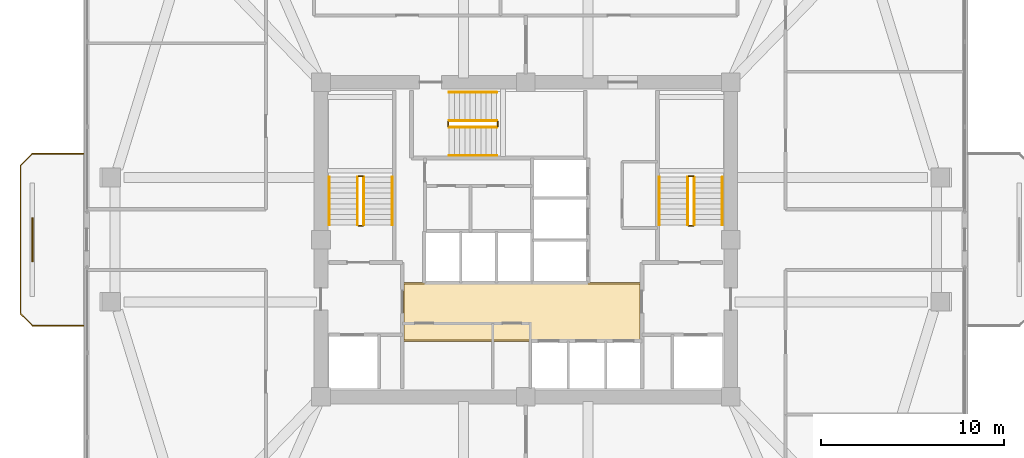
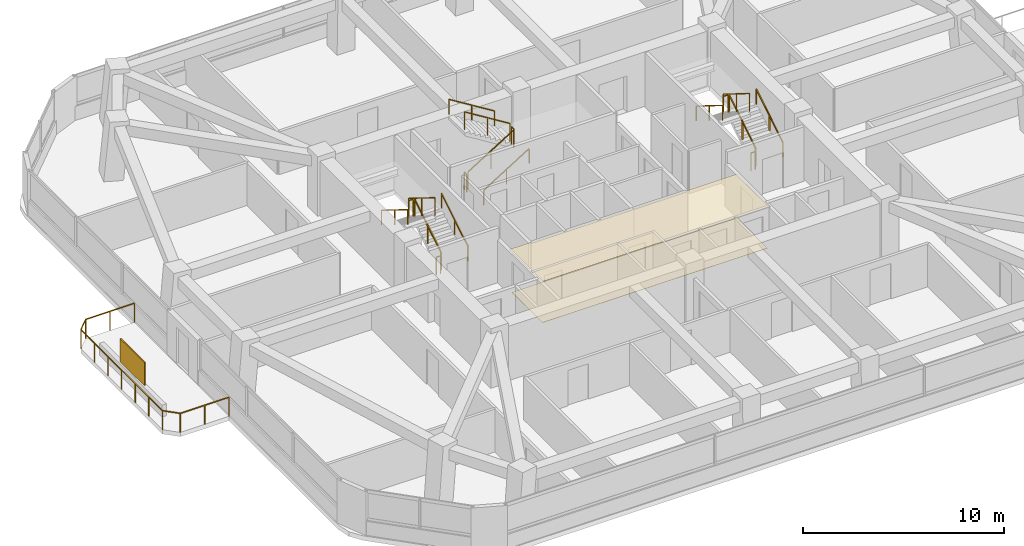
# One storey, part 13 of 14: 19 railings, 2 coverings, 1 shading device.
"""IFC4 building model written with IfcOpenShell, lengths in metres."""

from ifc_helpers import new_model, si_unit, derived_unit, direction, frame, origin, origin_2d, place, context, subcontext, project, spatial, polyline, rectangle, outline, extrude, material, layer, layer_set, type_object, element, save


model = new_model("IFC4")

# Units and contexts
model_context = context("Model", 3, precision=1e-05, world=origin(), true_north=direction((0.0, 1.0)))
body_context = subcontext(model_context, "Body", "Model", "MODEL_VIEW")
ifc_project = project(units=[si_unit("LENGTHUNIT", "METRE"), si_unit("AREAUNIT", "SQUARE_METRE"), si_unit("VOLUMEUNIT", "CUBIC_METRE"), si_unit("PLANEANGLEUNIT", "RADIAN"), si_unit("MASSUNIT", "GRAM", prefix="KILO"), derived_unit("THERMALTRANSMITTANCEUNIT", [(si_unit("POWERUNIT", "WATT"), 1), (si_unit("LENGTHUNIT", "METRE"), -2), (si_unit("THERMODYNAMICTEMPERATUREUNIT", "KELVIN"), -1)])], contexts=[model_context])

# Site, building, storey
site_placement = place(None, origin())
site = spatial("IfcSite", under=ifc_project, at=site_placement, CompositionType="ELEMENT")
building_placement = place(site_placement, origin())
building = spatial("IfcBuilding", under=site, at=building_placement, Name="Koralith Skygarden Medical Center", CompositionType="ELEMENT")
storey_placement = place(building_placement, frame((0.0, 0.0, 120.780029296875)))
storey = spatial("IfcBuildingStorey", under=building, at=storey_placement, Name="L31", CompositionType="ELEMENT", Elevation=120.780029296875)

# Covering
ifc_material_1 = material(Name="Acoustic Mineral Tile")
ifc_layer_1 = layer(ifc_material_1, 0.02001953125)
ifc_layer_set_1 = layer_set([ifc_layer_1], Name="Acoustic Mineral Tile")
covering_type_1 = type_object("IfcCoveringType", Name="Acoustic Hygienic Mineral Ceiling 20", PredefinedType="CEILING", material=ifc_layer_set_1)
covering_1_placement = place(storey_placement, frame((0.0, 0.0, 2.56494140625)))
element("IfcCovering", 1, at=covering_1_placement, inside=storey, type_object=covering_type_1, Name="L31 Core Lobby Acoustic Ceiling", PredefinedType="CEILING", context=body_context, shape_type="SweptSolid", body=[
    extrude(outline(polyline([(30.25, 20.320068359375), (43.35009765625, 20.320068359375), (43.35009765625, 23.56005859375), (30.25, 23.56005859375), (30.25, 20.320068359375)])), origin(), (0.0, 0.0, 1.0), 0.02001953125),
])

# Railing
ifc_material_2 = material(Name="Steel ASTM A500 Grade C", Category="steel")
railing_type_1 = type_object("IfcRailingType", Name="Outdoor Terrace & Balcony Safety Guardrail 1180", PredefinedType="GUARDRAIL", material=ifc_material_2)
railing_1_placement = place(storey_placement, frame((12.820068359375, 21.199951171875, 0.0)))
element("IfcRailing", 2, at=railing_1_placement, inside=storey, type_object=railing_type_1, Name="L31 W Balcony Perimeter Guardrail", PredefinedType="GUARDRAIL", context=body_context, shape_type="SweptSolid", body=[
    extrude(rectangle(XDim=0.050048828125, YDim=0.050048828125, at=origin_2d()), frame((-0.001953125, 0.0, 1.15478515625), z_axis=(-1.0, 0.0, 0.0), x_axis=(0.0, -1.0, 0.0)), (0.0, 0.0, 1.0), 2.795166015625),
    extrude(rectangle(XDim=0.050048828125, YDim=0.050048828125, at=origin_2d()), frame((-2.800537109375, 0.00146484375, 1.15478515625), z_axis=(-0.707504740072, 0.706708598204, 0.0), x_axis=(-0.706708598204, -0.707504740072, 0.0)), (0.0, 0.0, 1.0), 0.916015625),
    extrude(rectangle(XDim=0.050048828125, YDim=0.050048828125, at=origin_2d()), frame((-3.449951171875, 0.652099609375, 1.15478515625), z_axis=(0.0, 1.0, 0.0), x_axis=(-1.0, 0.0, 0.0)), (0.0, 0.0, 1.0), 8.095947265625),
    extrude(rectangle(XDim=0.050048828125, YDim=0.050048828125, at=origin_2d()), frame((-3.448486328125, 8.75146484375, 1.15478515625), z_axis=(0.707504740072, 0.706708598204, 0.0), x_axis=(-0.706708598204, 0.707504740072, 0.0)), (0.0, 0.0, 1.0), 0.916015625),
    extrude(rectangle(XDim=0.050048828125, YDim=0.050048828125, at=origin_2d()), frame((-2.797119140625, 9.400146484375, 1.15478515625), z_axis=(1.0, 0.0, 0.0), x_axis=(0.0, 1.0, 0.0)), (0.0, 0.0, 1.0), 2.795166015625),
    extrude(rectangle(XDim=0.0419921875, YDim=0.0419921875, at=origin_2d()), origin(), (0.0, 0.0, 1.0), 1.1279296875),
    extrude(rectangle(XDim=0.0419921875, YDim=0.0419921875, at=origin_2d()), frame((-1.3994140625, 0.0, 0.0)), (0.0, 0.0, 1.0), 1.1279296875),
    extrude(rectangle(XDim=0.0419921875, YDim=0.0419921875, at=origin_2d()), frame((-2.799072265625, 0.0, 0.0)), (0.0, 0.0, 1.0), 1.1279296875),
    extrude(rectangle(XDim=0.0419921875, YDim=0.0419921875, at=origin_2d()), frame((-3.449951171875, 0.650146484375, 0.0)), (0.0, 0.0, 1.0), 1.1279296875),
    extrude(rectangle(XDim=0.0419921875, YDim=0.0419921875, at=origin_2d()), frame((-3.449951171875, 2.0, 0.0)), (0.0, 0.0, 1.0), 1.1279296875),
    extrude(rectangle(XDim=0.0419921875, YDim=0.0419921875, at=origin_2d()), frame((-3.449951171875, 3.35009765625, 0.0)), (0.0, 0.0, 1.0), 1.1279296875),
    extrude(rectangle(XDim=0.0419921875, YDim=0.0419921875, at=origin_2d()), frame((-3.449951171875, 4.7001953125, 0.0)), (0.0, 0.0, 1.0), 1.1279296875),
    extrude(rectangle(XDim=0.0419921875, YDim=0.0419921875, at=origin_2d()), frame((-3.449951171875, 6.050048828125, 0.0)), (0.0, 0.0, 1.0), 1.1279296875),
    extrude(rectangle(XDim=0.0419921875, YDim=0.0419921875, at=origin_2d()), frame((-3.449951171875, 7.39990234375, 0.0)), (0.0, 0.0, 1.0), 1.1279296875),
    extrude(rectangle(XDim=0.0419921875, YDim=0.0419921875, at=origin_2d()), frame((-3.449951171875, 8.75, 0.0)), (0.0, 0.0, 1.0), 1.1279296875),
    extrude(rectangle(XDim=0.0419921875, YDim=0.0419921875, at=origin_2d()), frame((-2.799072265625, 9.400146484375, 0.0)), (0.0, 0.0, 1.0), 1.1279296875),
    extrude(rectangle(XDim=0.0419921875, YDim=0.0419921875, at=origin_2d()), frame((-1.3994140625, 9.400146484375, 0.0)), (0.0, 0.0, 1.0), 1.1279296875),
    extrude(rectangle(XDim=0.0419921875, YDim=0.0419921875, at=origin_2d()), frame((0.0, 9.400146484375, 0.0)), (0.0, 0.0, 1.0), 1.1279296875),
])

# Shading device
ifc_material_3 = material(Name="Aluminium 6063-T6", Category="aluminium")
ifc_layer_2 = layer(ifc_material_3, 0.080078125)
ifc_layer_set_2 = layer_set([ifc_layer_2], Name="Aluminium 6063-T6")
shading_device_type = type_object("IfcShadingDeviceType", Name="Perforated Biophilic Balcony Trellis Screen", PredefinedType="USERDEFINED", material=ifc_layer_set_2)
shading_device_placement = place(storey_placement, frame((10.02001953125, 25.89990234375, 0.719970703125), z_axis=(0.0, 0.0, 1.0), x_axis=(0.0, 1.0, 0.0)))
element("IfcShadingDevice", 3, at=shading_device_placement, inside=storey, type_object=shading_device_type, Name="L31 W Biophilic Balcony Trellis Screen", ObjectType="HURRICANE SCREEN", PredefinedType="USERDEFINED", context=body_context, shape_type="SweptSolid", body=[
    extrude(rectangle(XDim=2.39990234375, YDim=0.080078125, at=origin_2d()), origin(), (0.0, 0.0, 1.0), 1.39990234375),
])

# Covering
ifc_material_4 = material(Name="Medical Terrazzo Flooring")
ifc_layer_3 = layer(ifc_material_4, 0.014892578125)
ifc_layer_set_3 = layer_set([ifc_layer_3], Name="Medical Terrazzo Flooring")
covering_type_2 = type_object("IfcCoveringType", Name="Seamless Antimicrobial Terrazzo Flooring 15", PredefinedType="FLOORING", material=ifc_layer_set_3)
covering_2_placement = place(storey_placement, origin())
element("IfcCovering", 4, at=covering_2_placement, inside=storey, type_object=covering_type_2, Name="L31 Core Lobby Terrazzo Flooring", PredefinedType="FLOORING", context=body_context, shape_type="SweptSolid", body=[
    extrude(outline(polyline([(30.35009765625, 20.419921875), (43.25, 20.419921875), (43.25, 23.4599609375), (30.35009765625, 23.4599609375), (30.35009765625, 20.419921875)])), origin(), (0.0, 0.0, 1.0), 0.014892578125),
])

# Railings
railing_type_2 = type_object("IfcRailingType", Name="Stair Flight Tubular Handrail 920", PredefinedType="HANDRAIL", material=ifc_material_2)
railing_2_placement = place(storey_placement, frame((29.699951171875, 26.699951171875, 0.179931640625)))
element("IfcRailing", 5, at=railing_2_placement, inside=storey, type_object=railing_type_2, Name="L31 ST1 stair handrail 1", PredefinedType="HANDRAIL", context=body_context, shape_type="SweptSolid", body=[
    extrude(rectangle(XDim=0.050048828125, YDim=0.050048828125, at=origin_2d()), frame((0.0, 0.001708984375, 0.89599609375), z_axis=(0.0, 0.849632798774, 0.527374731332), x_axis=(-1.0, 0.0, 0.0)), (0.0, 0.0, 1.0), 3.068115234375),
    extrude(rectangle(XDim=0.0419921875, YDim=0.0419921875, at=origin_2d()), origin(), (0.0, 0.0, 1.0), 0.867919921875),
    extrude(rectangle(XDim=0.0419921875, YDim=0.0419921875, at=origin_2d()), frame((0.0, 1.30517578125, 0.81005859375)), (0.0, 0.0, 1.0), 0.867919921875),
    extrude(rectangle(XDim=0.0419921875, YDim=0.0419921875, at=origin_2d()), frame((0.0, 2.610107421875, 1.6201171875)), (0.0, 0.0, 1.0), 0.867919921875),
])
railing_3_placement = place(storey_placement, frame((26.25, 29.31005859375, 1.97998046875)))
element("IfcRailing", 6, at=railing_3_placement, inside=storey, type_object=railing_type_2, Name="L31 ST1 stair handrail 2", PredefinedType="HANDRAIL", context=body_context, shape_type="SweptSolid", body=[
    extrude(rectangle(XDim=0.050048828125, YDim=0.050048828125, at=origin_2d()), frame((0.0, -0.001708984375, 0.89599609375), z_axis=(0.0, -0.849668407637, 0.527317358963), x_axis=(1.0, 0.0, 0.0)), (0.0, 0.0, 1.0), 3.06787109375),
    extrude(rectangle(XDim=0.0419921875, YDim=0.0419921875, at=origin_2d()), origin(), (0.0, 0.0, 1.0), 0.867919921875),
    extrude(rectangle(XDim=0.0419921875, YDim=0.0419921875, at=origin_2d()), frame((0.0, -1.30517578125, 0.81005859375)), (0.0, 0.0, 1.0), 0.867919921875),
    extrude(rectangle(XDim=0.0419921875, YDim=0.0419921875, at=origin_2d()), frame((0.0, -2.610107421875, 1.619873046875)), (0.0, 0.0, 1.0), 0.867919921875),
])
railing_4_placement = place(storey_placement, frame((47.75, 26.699951171875, 0.179931640625)))
element("IfcRailing", 7, at=railing_4_placement, inside=storey, type_object=railing_type_2, Name="L31 ST2 stair handrail 1", PredefinedType="HANDRAIL", context=body_context, shape_type="SweptSolid", body=[
    extrude(rectangle(XDim=0.050048828125, YDim=0.050048828125, at=origin_2d()), frame((0.0, 0.001708984375, 0.89599609375), z_axis=(0.0, 0.849632798774, 0.527374731332), x_axis=(-1.0, 0.0, 0.0)), (0.0, 0.0, 1.0), 3.068115234375),
    extrude(rectangle(XDim=0.0419921875, YDim=0.0419921875, at=origin_2d()), origin(), (0.0, 0.0, 1.0), 0.867919921875),
    extrude(rectangle(XDim=0.0419921875, YDim=0.0419921875, at=origin_2d()), frame((0.0, 1.30517578125, 0.81005859375)), (0.0, 0.0, 1.0), 0.867919921875),
    extrude(rectangle(XDim=0.0419921875, YDim=0.0419921875, at=origin_2d()), frame((0.0, 2.610107421875, 1.6201171875)), (0.0, 0.0, 1.0), 0.867919921875),
])
railing_5_placement = place(storey_placement, frame((44.300048828125, 29.31005859375, 1.97998046875)))
element("IfcRailing", 8, at=railing_5_placement, inside=storey, type_object=railing_type_2, Name="L31 ST2 stair handrail 2", PredefinedType="HANDRAIL", context=body_context, shape_type="SweptSolid", body=[
    extrude(rectangle(XDim=0.050048828125, YDim=0.050048828125, at=origin_2d()), frame((0.0, -0.001708984375, 0.89599609375), z_axis=(0.0, -0.849668407637, 0.527317358963), x_axis=(1.0, 0.0, 0.0)), (0.0, 0.0, 1.0), 3.06787109375),
    extrude(rectangle(XDim=0.0419921875, YDim=0.0419921875, at=origin_2d()), origin(), (0.0, 0.0, 1.0), 0.867919921875),
    extrude(rectangle(XDim=0.0419921875, YDim=0.0419921875, at=origin_2d()), frame((0.0, -1.30517578125, 0.81005859375)), (0.0, 0.0, 1.0), 0.867919921875),
    extrude(rectangle(XDim=0.0419921875, YDim=0.0419921875, at=origin_2d()), frame((0.0, -2.610107421875, 1.619873046875)), (0.0, 0.0, 1.0), 0.867919921875),
])
railing_6_placement = place(storey_placement, frame((32.800048828125, 30.5, 0.179931640625)))
element("IfcRailing", 9, at=railing_6_placement, inside=storey, type_object=railing_type_2, Name="L31 ST3 stair handrail 1", PredefinedType="HANDRAIL", context=body_context, shape_type="SweptSolid", body=[
    extrude(rectangle(XDim=0.050048828125, YDim=0.050048828125, at=origin_2d()), frame((0.001708984375, 0.0, 0.89599609375), z_axis=(0.849610693518, 0.0, 0.52741034258), x_axis=(0.0, 1.0, 0.0)), (0.0, 0.0, 1.0), 3.06787109375),
    extrude(rectangle(XDim=0.0419921875, YDim=0.0419921875, at=origin_2d()), origin(), (0.0, 0.0, 1.0), 0.867919921875),
    extrude(rectangle(XDim=0.0419921875, YDim=0.0419921875, at=origin_2d()), frame((1.304931640625, 0.0, 0.81005859375)), (0.0, 0.0, 1.0), 0.867919921875),
    extrude(rectangle(XDim=0.0419921875, YDim=0.0419921875, at=origin_2d()), frame((2.60986328125, 0.0, 1.6201171875)), (0.0, 0.0, 1.0), 0.867919921875),
])
railing_7_placement = place(storey_placement, frame((35.409912109375, 33.949951171875, 1.97998046875)))
element("IfcRailing", 10, at=railing_7_placement, inside=storey, type_object=railing_type_2, Name="L31 ST3 stair handrail 2", PredefinedType="HANDRAIL", context=body_context, shape_type="SweptSolid", body=[
    extrude(rectangle(XDim=0.050048828125, YDim=0.050048828125, at=origin_2d()), frame((-0.001708984375, 0.0, 0.89599609375), z_axis=(-0.849646306263, 0.0, 0.527352969322), x_axis=(0.0, -1.0, 0.0)), (0.0, 0.0, 1.0), 3.067626953125),
    extrude(rectangle(XDim=0.0419921875, YDim=0.0419921875, at=origin_2d()), origin(), (0.0, 0.0, 1.0), 0.867919921875),
    extrude(rectangle(XDim=0.0419921875, YDim=0.0419921875, at=origin_2d()), frame((-1.304931640625, 0.0, 0.81005859375)), (0.0, 0.0, 1.0), 0.867919921875),
    extrude(rectangle(XDim=0.0419921875, YDim=0.0419921875, at=origin_2d()), frame((-2.60986328125, 0.0, 1.619873046875)), (0.0, 0.0, 1.0), 0.867919921875),
])
railing_type_3 = type_object("IfcRailingType", Name="Stair Well Safety Guardrail 1100", PredefinedType="GUARDRAIL", material=ifc_material_2)
railing_8_placement = place(storey_placement, frame((28.14990234375, 26.699951171875, 0.179931640625)))
element("IfcRailing", 11, at=railing_8_placement, inside=storey, type_object=railing_type_3, Name="L31 ST1 stair guard 1", PredefinedType="GUARDRAIL", context=body_context, shape_type="SweptSolid", body=[
    extrude(rectangle(XDim=0.050048828125, YDim=0.050048828125, at=origin_2d()), frame((0.0, 0.001708984375, 1.076171875), z_axis=(0.0, 0.849632798774, 0.527374731332), x_axis=(-1.0, 0.0, 0.0)), (0.0, 0.0, 1.0), 3.068115234375),
    extrude(rectangle(XDim=0.0419921875, YDim=0.0419921875, at=origin_2d()), origin(), (0.0, 0.0, 1.0), 1.048095703125),
    extrude(rectangle(XDim=0.0419921875, YDim=0.0419921875, at=origin_2d()), frame((0.0, 1.30517578125, 0.81005859375)), (0.0, 0.0, 1.0), 1.048095703125),
    extrude(rectangle(XDim=0.0419921875, YDim=0.0419921875, at=origin_2d()), frame((0.0, 2.610107421875, 1.6201171875)), (0.0, 0.0, 1.0), 1.048095703125),
])
railing_9_placement = place(storey_placement, frame((28.10009765625, 29.360107421875, 1.800048828125)))
element("IfcRailing", 12, at=railing_9_placement, inside=storey, type_object=railing_type_3, Name="L31 ST1 stair guard 2", PredefinedType="GUARDRAIL", context=body_context, shape_type="SweptSolid", body=[
    extrude(rectangle(XDim=0.050048828125, YDim=0.050048828125, at=origin_2d()), frame((-0.001953125, 0.0, 1.0751953125), z_axis=(-1.0, 0.0, 0.0), x_axis=(0.0, -1.0, 0.0)), (0.0, 0.0, 1.0), 0.24609375),
    extrude(rectangle(XDim=0.0419921875, YDim=0.0419921875, at=origin_2d()), origin(), (0.0, 0.0, 1.0), 1.048095703125),
    extrude(rectangle(XDim=0.0419921875, YDim=0.0419921875, at=origin_2d()), frame((-0.25, 0.0, 0.0)), (0.0, 0.0, 1.0), 1.048095703125),
])
railing_10_placement = place(storey_placement, frame((27.800048828125, 29.31005859375, 1.97998046875)))
element("IfcRailing", 13, at=railing_10_placement, inside=storey, type_object=railing_type_3, Name="L31 ST1 stair guard 3", PredefinedType="GUARDRAIL", context=body_context, shape_type="SweptSolid", body=[
    extrude(rectangle(XDim=0.050048828125, YDim=0.050048828125, at=origin_2d()), frame((0.0, -0.001708984375, 1.076171875), z_axis=(0.0, -0.849668407637, 0.527317358963), x_axis=(1.0, 0.0, 0.0)), (0.0, 0.0, 1.0), 3.06787109375),
    extrude(rectangle(XDim=0.0419921875, YDim=0.0419921875, at=origin_2d()), origin(), (0.0, 0.0, 1.0), 1.048095703125),
    extrude(rectangle(XDim=0.0419921875, YDim=0.0419921875, at=origin_2d()), frame((0.0, -1.30517578125, 0.81005859375)), (0.0, 0.0, 1.0), 1.048095703125),
    extrude(rectangle(XDim=0.0419921875, YDim=0.0419921875, at=origin_2d()), frame((0.0, -2.610107421875, 1.619873046875)), (0.0, 0.0, 1.0), 1.048095703125),
])
railing_11_placement = place(storey_placement, frame((28.10009765625, 26.64990234375, 0.0)))
element("IfcRailing", 14, at=railing_11_placement, inside=storey, type_object=railing_type_3, Name="L31 ST1 stair guard 4", PredefinedType="GUARDRAIL", context=body_context, shape_type="SweptSolid", body=[
    extrude(rectangle(XDim=0.050048828125, YDim=0.050048828125, at=origin_2d()), frame((-0.001953125, 0.0, 1.0751953125), z_axis=(-1.0, 0.0, 0.0), x_axis=(0.0, -1.0, 0.0)), (0.0, 0.0, 1.0), 0.24609375),
    extrude(rectangle(XDim=0.0419921875, YDim=0.0419921875, at=origin_2d()), origin(), (0.0, 0.0, 1.0), 1.048095703125),
    extrude(rectangle(XDim=0.0419921875, YDim=0.0419921875, at=origin_2d()), frame((-0.25, 0.0, 0.0)), (0.0, 0.0, 1.0), 1.048095703125),
])
railing_12_placement = place(storey_placement, frame((46.199951171875, 26.699951171875, 0.179931640625)))
element("IfcRailing", 15, at=railing_12_placement, inside=storey, type_object=railing_type_3, Name="L31 ST2 stair guard 1", PredefinedType="GUARDRAIL", context=body_context, shape_type="SweptSolid", body=[
    extrude(rectangle(XDim=0.050048828125, YDim=0.050048828125, at=origin_2d()), frame((0.0, 0.001708984375, 1.076171875), z_axis=(0.0, 0.849632798774, 0.527374731332), x_axis=(-1.0, 0.0, 0.0)), (0.0, 0.0, 1.0), 3.068115234375),
    extrude(rectangle(XDim=0.0419921875, YDim=0.0419921875, at=origin_2d()), origin(), (0.0, 0.0, 1.0), 1.048095703125),
    extrude(rectangle(XDim=0.0419921875, YDim=0.0419921875, at=origin_2d()), frame((0.0, 1.30517578125, 0.81005859375)), (0.0, 0.0, 1.0), 1.048095703125),
    extrude(rectangle(XDim=0.0419921875, YDim=0.0419921875, at=origin_2d()), frame((0.0, 2.610107421875, 1.6201171875)), (0.0, 0.0, 1.0), 1.048095703125),
])
railing_13_placement = place(storey_placement, frame((46.14990234375, 29.360107421875, 1.800048828125)))
element("IfcRailing", 16, at=railing_13_placement, inside=storey, type_object=railing_type_3, Name="L31 ST2 stair guard 2", PredefinedType="GUARDRAIL", context=body_context, shape_type="SweptSolid", body=[
    extrude(rectangle(XDim=0.050048828125, YDim=0.050048828125, at=origin_2d()), frame((-0.001953125, 0.0, 1.0751953125), z_axis=(-1.0, 0.0, 0.0), x_axis=(0.0, -1.0, 0.0)), (0.0, 0.0, 1.0), 0.24609375),
    extrude(rectangle(XDim=0.0419921875, YDim=0.0419921875, at=origin_2d()), origin(), (0.0, 0.0, 1.0), 1.048095703125),
    extrude(rectangle(XDim=0.0419921875, YDim=0.0419921875, at=origin_2d()), frame((-0.25, 0.0, 0.0)), (0.0, 0.0, 1.0), 1.048095703125),
])
railing_14_placement = place(storey_placement, frame((45.85009765625, 29.31005859375, 1.97998046875)))
element("IfcRailing", 17, at=railing_14_placement, inside=storey, type_object=railing_type_3, Name="L31 ST2 stair guard 3", PredefinedType="GUARDRAIL", context=body_context, shape_type="SweptSolid", body=[
    extrude(rectangle(XDim=0.050048828125, YDim=0.050048828125, at=origin_2d()), frame((0.0, -0.001708984375, 1.076171875), z_axis=(0.0, -0.849668407637, 0.527317358963), x_axis=(1.0, 0.0, 0.0)), (0.0, 0.0, 1.0), 3.06787109375),
    extrude(rectangle(XDim=0.0419921875, YDim=0.0419921875, at=origin_2d()), origin(), (0.0, 0.0, 1.0), 1.048095703125),
    extrude(rectangle(XDim=0.0419921875, YDim=0.0419921875, at=origin_2d()), frame((0.0, -1.30517578125, 0.81005859375)), (0.0, 0.0, 1.0), 1.048095703125),
    extrude(rectangle(XDim=0.0419921875, YDim=0.0419921875, at=origin_2d()), frame((0.0, -2.610107421875, 1.619873046875)), (0.0, 0.0, 1.0), 1.048095703125),
])
railing_15_placement = place(storey_placement, frame((46.14990234375, 26.64990234375, 0.0)))
element("IfcRailing", 18, at=railing_15_placement, inside=storey, type_object=railing_type_3, Name="L31 ST2 stair guard 4", PredefinedType="GUARDRAIL", context=body_context, shape_type="SweptSolid", body=[
    extrude(rectangle(XDim=0.050048828125, YDim=0.050048828125, at=origin_2d()), frame((-0.001953125, 0.0, 1.0751953125), z_axis=(-1.0, 0.0, 0.0), x_axis=(0.0, -1.0, 0.0)), (0.0, 0.0, 1.0), 0.24609375),
    extrude(rectangle(XDim=0.0419921875, YDim=0.0419921875, at=origin_2d()), origin(), (0.0, 0.0, 1.0), 1.048095703125),
    extrude(rectangle(XDim=0.0419921875, YDim=0.0419921875, at=origin_2d()), frame((-0.25, 0.0, 0.0)), (0.0, 0.0, 1.0), 1.048095703125),
])
railing_16_placement = place(storey_placement, frame((32.800048828125, 32.050048828125, 0.179931640625)))
element("IfcRailing", 19, at=railing_16_placement, inside=storey, type_object=railing_type_3, Name="L31 ST3 stair guard 1", PredefinedType="GUARDRAIL", context=body_context, shape_type="SweptSolid", body=[
    extrude(rectangle(XDim=0.050048828125, YDim=0.050048828125, at=origin_2d()), frame((0.001708984375, 0.0, 1.076171875), z_axis=(0.849610693518, 0.0, 0.52741034258), x_axis=(0.0, 1.0, 0.0)), (0.0, 0.0, 1.0), 3.06787109375),
    extrude(rectangle(XDim=0.0419921875, YDim=0.0419921875, at=origin_2d()), origin(), (0.0, 0.0, 1.0), 1.048095703125),
    extrude(rectangle(XDim=0.0419921875, YDim=0.0419921875, at=origin_2d()), frame((1.304931640625, 0.0, 0.81005859375)), (0.0, 0.0, 1.0), 1.048095703125),
    extrude(rectangle(XDim=0.0419921875, YDim=0.0419921875, at=origin_2d()), frame((2.60986328125, 0.0, 1.6201171875)), (0.0, 0.0, 1.0), 1.048095703125),
])
railing_17_placement = place(storey_placement, frame((35.4599609375, 32.10009765625, 1.800048828125)))
element("IfcRailing", 20, at=railing_17_placement, inside=storey, type_object=railing_type_3, Name="L31 ST3 stair guard 2", PredefinedType="GUARDRAIL", context=body_context, shape_type="SweptSolid", body=[
    extrude(rectangle(XDim=0.050048828125, YDim=0.050048828125, at=origin_2d()), frame((0.0, 0.001953125, 1.0751953125), z_axis=(0.0, 1.0, 0.0), x_axis=(-1.0, 0.0, 0.0)), (0.0, 0.0, 1.0), 0.24609375),
    extrude(rectangle(XDim=0.0419921875, YDim=0.0419921875, at=origin_2d()), origin(), (0.0, 0.0, 1.0), 1.048095703125),
    extrude(rectangle(XDim=0.0419921875, YDim=0.0419921875, at=origin_2d()), frame((0.0, 0.25, 0.0)), (0.0, 0.0, 1.0), 1.048095703125),
])
railing_18_placement = place(storey_placement, frame((35.409912109375, 32.39990234375, 1.97998046875)))
element("IfcRailing", 21, at=railing_18_placement, inside=storey, type_object=railing_type_3, Name="L31 ST3 stair guard 3", PredefinedType="GUARDRAIL", context=body_context, shape_type="SweptSolid", body=[
    extrude(rectangle(XDim=0.050048828125, YDim=0.050048828125, at=origin_2d()), frame((-0.001708984375, 0.0, 1.076171875), z_axis=(-0.849646306263, 0.0, 0.527352969322), x_axis=(0.0, -1.0, 0.0)), (0.0, 0.0, 1.0), 3.067626953125),
    extrude(rectangle(XDim=0.0419921875, YDim=0.0419921875, at=origin_2d()), origin(), (0.0, 0.0, 1.0), 1.048095703125),
    extrude(rectangle(XDim=0.0419921875, YDim=0.0419921875, at=origin_2d()), frame((-1.304931640625, 0.0, 0.81005859375)), (0.0, 0.0, 1.0), 1.048095703125),
    extrude(rectangle(XDim=0.0419921875, YDim=0.0419921875, at=origin_2d()), frame((-2.60986328125, 0.0, 1.619873046875)), (0.0, 0.0, 1.0), 1.048095703125),
])
railing_19_placement = place(storey_placement, frame((32.75, 32.10009765625, 0.0)))
element("IfcRailing", 22, at=railing_19_placement, inside=storey, type_object=railing_type_3, Name="L31 ST3 stair guard 4", PredefinedType="GUARDRAIL", context=body_context, shape_type="SweptSolid", body=[
    extrude(rectangle(XDim=0.050048828125, YDim=0.050048828125, at=origin_2d()), frame((0.0, 0.001953125, 1.0751953125), z_axis=(0.0, 1.0, 0.0), x_axis=(-1.0, 0.0, 0.0)), (0.0, 0.0, 1.0), 0.24609375),
    extrude(rectangle(XDim=0.0419921875, YDim=0.0419921875, at=origin_2d()), origin(), (0.0, 0.0, 1.0), 1.048095703125),
    extrude(rectangle(XDim=0.0419921875, YDim=0.0419921875, at=origin_2d()), frame((0.0, 0.25, 0.0)), (0.0, 0.0, 1.0), 1.048095703125),
])

save(model, "model.ifc")
